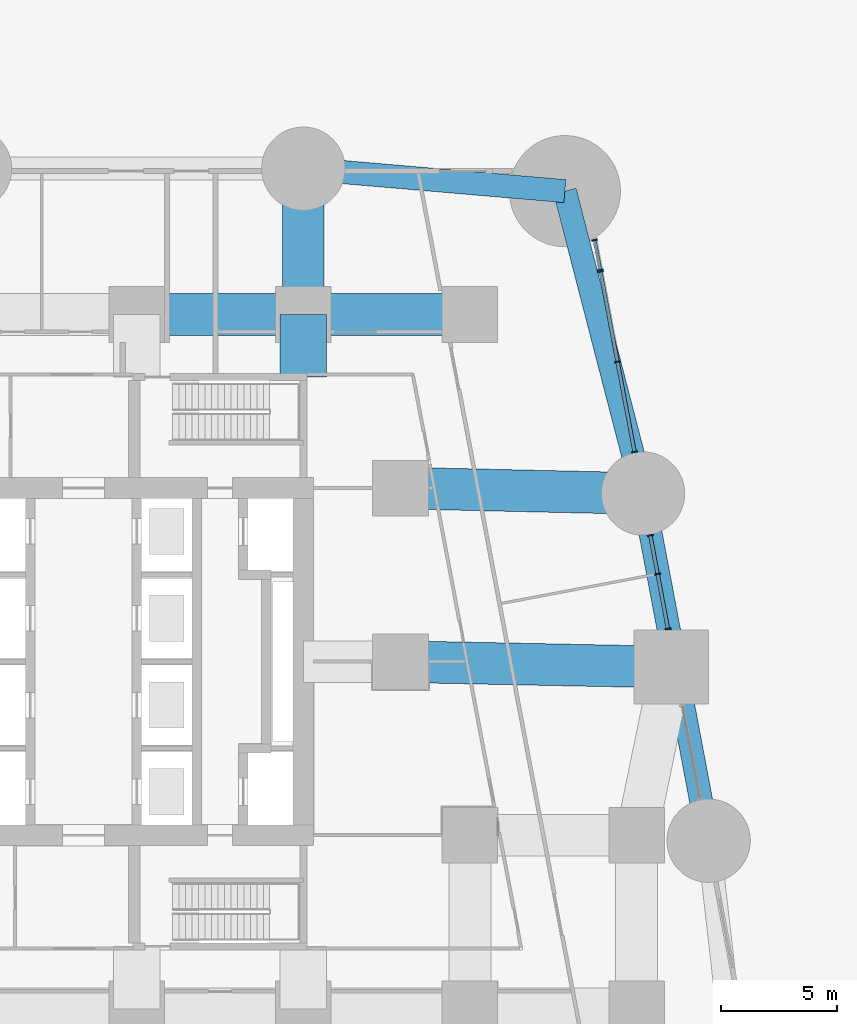
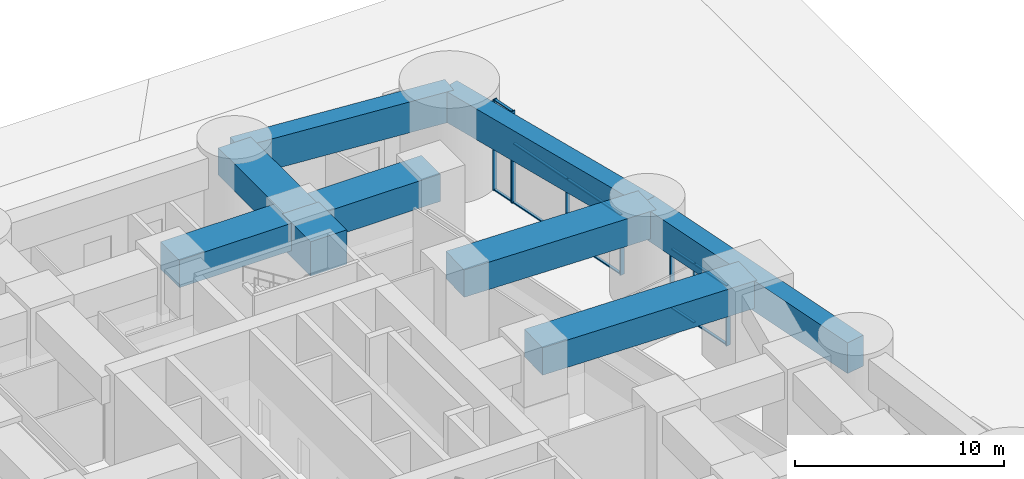
# One storey, part 5 of 16: 18 members, 9 beams, 3 elements without a shape of their own.
"""IFC4 building model written with IfcOpenShell, lengths in metres."""

from ifc_helpers import new_model, si_unit, direction, frame, origin, origin_2d, place, context, subcontext, project, spatial, rectangle, extrude, material, material_profile, profile_set, type_object, element, aggregate, save


model = new_model("IFC4")

# Units and contexts
model_context = context("Model", 3, precision=1e-05, world=origin(), true_north=direction((0.0, 1.0)))
body_context = subcontext(model_context, "Body", "Model", "MODEL_VIEW")
ifc_project = project(units=[si_unit("LENGTHUNIT", "METRE"), si_unit("AREAUNIT", "SQUARE_METRE"), si_unit("VOLUMEUNIT", "CUBIC_METRE"), si_unit("PLANEANGLEUNIT", "RADIAN"), si_unit("MASSUNIT", "GRAM", prefix="KILO")], contexts=[model_context])

# Site, building, storey
site_placement = place(None, origin())
site = spatial("IfcSite", under=ifc_project, at=site_placement, CompositionType="ELEMENT")
building_placement = place(site_placement, origin())
building = spatial("IfcBuilding", under=site, at=building_placement, Name="Sheger Commons Tower", CompositionType="ELEMENT")
storey_placement = place(building_placement, origin())
storey = spatial("IfcBuildingStorey", under=building, at=storey_placement, Name="L00", CompositionType="ELEMENT", Elevation=0.0)

# Beams
ifc_material_1 = material(Name="Concrete C50/60", Category="concrete")
ifc_material_profile_1 = material_profile(ifc_material_1, rectangle(XDim=1.0, YDim=1.800048828125, at=origin_2d()), Name="RC 1000x1800")
ifc_profile_set_1 = profile_set([ifc_material_profile_1], Name="Concrete C50/60")
beam_type_1 = type_object("IfcBeamType", Name="BEAM RC 1000x1800", PredefinedType="BEAM", material=ifc_profile_set_1)
beam_1_placement = place(storey_placement, frame((46.31396484375, 14.762939453125, 4.39990234375), z_axis=(-0.185647953645, 0.982616322533, 0.0), x_axis=(-0.982616322533, -0.185647953645, 0.0)))
element("IfcBeam", 1, at=beam_1_placement, inside=storey, type_object=beam_type_1, Name="Beam E/C-E/E under L01", PredefinedType="BEAM", context=body_context, shape_type="SweptSolid", body=[
    extrude(rectangle(XDim=1.0, YDim=1.800048828125, at=origin_2d()), origin(), (0.0, 0.0, 1.0), 15.265380859375),
])
beam_2_placement = place(storey_placement, frame((43.47998046875, 29.762939453125, 4.39990234375), z_axis=(-0.250278460129, 0.968173895742, 0.0), x_axis=(-0.968173895742, -0.250278460129, 0.0)))
element("IfcBeam", 2, at=beam_2_placement, inside=storey, type_object=beam_type_1, Name="Beam E/E-41.490,44.505 under L01", PredefinedType="BEAM", context=body_context, shape_type="SweptSolid", body=[
    extrude(rectangle(XDim=1.0, YDim=1.800048828125, at=origin_2d()), origin(), (0.0, 0.0, 1.0), 13.49658203125),
])
beam_3_placement = place(storey_placement, frame((40.10205078125, 42.830078125, 4.39990234375), z_axis=(-0.996337434304, 0.085508578543, 0.0), x_axis=(-0.085508578543, -0.996337434304, 0.0)))
element("IfcBeam", 3, at=beam_3_placement, inside=storey, type_object=beam_type_1, Name="Beam 41.490,44.505-5/G under L01", PredefinedType="BEAM", context=body_context, shape_type="SweptSolid", body=[
    extrude(rectangle(XDim=1.0, YDim=1.800048828125, at=origin_2d()), origin(), (0.0, 0.0, 1.0), 11.343505859375),
])
ifc_material_2 = material(Name="Concrete C50/60", Category="concrete")
ifc_material_profile_2 = material_profile(ifc_material_2, rectangle(XDim=1.800048828125, YDim=1.60009765625, at=origin_2d()), Name="RC 1800x1600")
ifc_profile_set_2 = profile_set([ifc_material_profile_2], Name="Concrete C50/60")
beam_type_2 = type_object("IfcBeamType", Name="BEAM RC 1800x1600", PredefinedType="BEAM", material=ifc_profile_set_2)
beam_4_placement = place(storey_placement, frame((33.0, 22.5, 4.5), z_axis=(0.999794692776, -0.02026258368, 0.0), x_axis=(0.02026258368, 0.999794692776, 0.0)))
element("IfcBeam", 4, at=beam_4_placement, inside=storey, type_object=beam_type_2, Name="Beam 6-3000/D-7/D under L01", PredefinedType="BEAM", context=body_context, shape_type="SweptSolid", body=[
    extrude(rectangle(XDim=1.800048828125, YDim=1.60009765625, at=origin_2d()), origin(), (0.0, 0.0, 1.0), 11.699462890625),
])
beam_5_placement = place(storey_placement, frame((33.0, 30.0, 4.5), z_axis=(0.999744258625, -0.022614538395, 0.0), x_axis=(0.022614538395, 0.999744258625, 0.0)))
element("IfcBeam", 5, at=beam_5_placement, inside=storey, type_object=beam_type_2, Name="Beam 6-3000/E-E/E under L01", PredefinedType="BEAM", context=body_context, shape_type="SweptSolid", body=[
    extrude(rectangle(XDim=1.800048828125, YDim=1.60009765625, at=origin_2d()), origin(), (0.0, 0.0, 1.0), 10.482666015625),
])
for number, where, z_axis, x_axis, name in (
    (6, (21.60009765625, 37.5, 4.5), (1.0, 0.0, 0.0), (0.0, 1.0, 0.0), "Beam 4/F-5/F under L01"),
    (7, (28.800048828125, 37.5, 4.5), (1.0, 0.0, 0.0), (0.0, 1.0, 0.0), "Beam 5/F-6/F under L01"),
):
    element("IfcBeam", number, at=place(storey_placement, frame(where, z_axis=z_axis, x_axis=x_axis)), inside=storey, type_object=beam_type_2, Name=name, PredefinedType="BEAM", context=body_context, shape_type="SweptSolid", body=[
        extrude(rectangle(XDim=1.800048828125, YDim=1.60009765625, at=origin_2d()), origin(), (0.0, 0.0, 1.0), 7.199951171875),
    ])
beam_6_placement = place(storey_placement, frame((28.800048828125, 37.5, 4.5), z_axis=(0.0, 1.0, 0.0), x_axis=(-1.0, 0.0, 0.0)))
element("IfcBeam", 8, at=beam_6_placement, inside=storey, type_object=beam_type_2, Name="Beam 5/F-5/G under L01", PredefinedType="BEAM", context=body_context, shape_type="SweptSolid", body=[
    extrude(rectangle(XDim=1.800048828125, YDim=1.60009765625, at=origin_2d()), origin(), (0.0, 0.0, 1.0), 6.300048828125),
])
ifc_material_3 = material(Name="Concrete C50/60", Category="concrete")
ifc_material_profile_3 = material_profile(ifc_material_3, rectangle(XDim=2.0, YDim=2.0, at=origin_2d()), Name="RC 2000x2000")
ifc_profile_set_3 = profile_set([ifc_material_profile_3], Name="Concrete C50/60")
beam_type_3 = type_object("IfcBeamType", Name="BEAM RC 2000x2000", PredefinedType="BEAM", material=ifc_profile_set_3)
beam_7_placement = place(storey_placement, frame((28.800048828125, 34.800048828125, 4.300048828125), z_axis=(0.0, 1.0, 0.0), x_axis=(-1.0, 0.0, 0.0)))
element("IfcBeam", 9, at=beam_7_placement, inside=storey, type_object=beam_type_3, Name="Beam 28.800,34.800-5/F under L01", PredefinedType="BEAM", context=body_context, shape_type="SweptSolid", body=[
    extrude(rectangle(XDim=2.0, YDim=2.0, at=origin_2d()), origin(), (0.0, 0.0, 1.0), 2.699951171875),
])

# Curtain wall, members
ifc_material_4 = material(Name="Black aluminium curtain wall, dark tinted glazing", Category="aluminium")
curtain_wall_type = type_object("IfcCurtainWallType", Name="CURTAIN WALL CW1 SHOPFRONT", PredefinedType="USERDEFINED", material=ifc_material_4)
curtain_wall_1_placement = place(storey_placement, origin())
curtain_wall_1 = element("IfcCurtainWall", 10, at=curtain_wall_1_placement, inside=storey, type_object=curtain_wall_type, Name="Curtain Wall Cw1 Shopfront E1 L00", ObjectType="STICK CURTAIN WALL", PredefinedType="USERDEFINED")
ifc_material_5 = material(Name="Black anodised aluminium", Category="aluminium")
ifc_material_profile_4 = material_profile(ifc_material_5, rectangle(XDim=0.25, YDim=0.06494140625, at=origin_2d()), Name="AL 65x250")
ifc_profile_set_4 = profile_set([ifc_material_profile_4], Name="Black anodised aluminium")
member_type_1 = type_object("IfcMemberType", Name="MULLION AL 65x250", PredefinedType="MULLION", material=ifc_profile_set_4)
member_1_placement = place(storey_placement, frame((44.55908203125, 23.9189453125, 0.0), z_axis=(0.0, 0.0, 1.0), x_axis=(-0.982616333912, -0.185647893416, 0.0)))
member_1 = element("IfcMember", 11, at=member_1_placement, type_object=member_type_1, Name="CW1 mullion 1", PredefinedType="MULLION", context=body_context, shape_type="SweptSolid", body=[
    extrude(rectangle(XDim=0.25, YDim=0.06494140625, at=origin_2d()), origin(), (0.0, 0.0, 1.0), 3.5),
])
member_2_placement = place(storey_placement, frame((44.111083984375, 26.28955078125, 0.0), z_axis=(0.0, 0.0, 1.0), x_axis=(-0.982616333912, -0.185647893416, 0.0)))
member_2 = element("IfcMember", 12, at=member_2_placement, type_object=member_type_1, Name="CW1 mullion 2", PredefinedType="MULLION", context=body_context, shape_type="SweptSolid", body=[
    extrude(rectangle(XDim=0.25, YDim=0.06494140625, at=origin_2d()), origin(), (0.0, 0.0, 1.0), 3.5),
])
member_3_placement = place(storey_placement, frame((43.796142578125, 27.95703125, 0.0), z_axis=(0.0, 0.0, 1.0), x_axis=(-0.982616333912, -0.185647893416, 0.0)))
member_3 = element("IfcMember", 13, at=member_3_placement, type_object=member_type_1, Name="CW1 mullion 3", PredefinedType="MULLION", context=body_context, shape_type="SweptSolid", body=[
    extrude(rectangle(XDim=0.25, YDim=0.06494140625, at=origin_2d()), origin(), (0.0, 0.0, 1.0), 3.5),
])

curtain_wall_2_placement = place(storey_placement, origin())
curtain_wall_2 = element("IfcCurtainWall", 14, at=curtain_wall_2_placement, inside=storey, type_object=curtain_wall_type, Name="Curtain Wall Cw1 Shopfront E1 L00", ObjectType="STICK CURTAIN WALL", PredefinedType="USERDEFINED")
member_4_placement = place(storey_placement, frame((43.115966796875, 31.559814453125, 0.0), z_axis=(0.0, 0.0, 1.0), x_axis=(-0.982612191292, -0.185669818561, 0.0)))
member_4 = element("IfcMember", 15, at=member_4_placement, type_object=member_type_1, Name="CW1 mullion 1", PredefinedType="MULLION", context=body_context, shape_type="SweptSolid", body=[
    extrude(rectangle(XDim=0.25, YDim=0.06494140625, at=origin_2d()), origin(), (0.0, 0.0, 1.0), 3.5),
])
member_5_placement = place(storey_placement, frame((42.37939453125, 35.45751953125, 0.0), z_axis=(0.0, 0.0, 1.0), x_axis=(-0.982612191292, -0.185669818561, 0.0)))
member_5 = element("IfcMember", 16, at=member_5_placement, type_object=member_type_1, Name="CW1 mullion 2", PredefinedType="MULLION", context=body_context, shape_type="SweptSolid", body=[
    extrude(rectangle(XDim=0.25, YDim=0.06494140625, at=origin_2d()), origin(), (0.0, 0.0, 1.0), 3.5),
])
member_6_placement = place(storey_placement, frame((41.64306640625, 39.35498046875, 0.0), z_axis=(0.0, 0.0, 1.0), x_axis=(-0.982612191292, -0.185669818561, 0.0)))
member_6 = element("IfcMember", 17, at=member_6_placement, type_object=member_type_1, Name="CW1 mullion 3", PredefinedType="MULLION", context=body_context, shape_type="SweptSolid", body=[
    extrude(rectangle(XDim=0.25, YDim=0.06494140625, at=origin_2d()), origin(), (0.0, 0.0, 1.0), 3.5),
])

curtain_wall_3_placement = place(storey_placement, origin())
curtain_wall_3 = element("IfcCurtainWall", 18, at=curtain_wall_3_placement, inside=storey, type_object=curtain_wall_type, Name="Curtain Wall Cw1 Shopfront E1 L00", ObjectType="STICK CURTAIN WALL", PredefinedType="USERDEFINED")
member_7_placement = place(storey_placement, frame((41.630859375, 39.4189453125, 0.0), z_axis=(0.0, 0.0, 1.0), x_axis=(-0.982659173488, -0.185421004098, 0.0)))
member_7 = element("IfcMember", 19, at=member_7_placement, type_object=member_type_1, Name="CW1 mullion 1", PredefinedType="MULLION", context=body_context, shape_type="SweptSolid", body=[
    extrude(rectangle(XDim=0.25, YDim=0.06494140625, at=origin_2d()), origin(), (0.0, 0.0, 1.0), 5.300048828125),
])
member_8_placement = place(storey_placement, frame((41.385986328125, 40.717041015625, 0.0), z_axis=(0.0, 0.0, 1.0), x_axis=(-0.982659173488, -0.185421004098, 0.0)))
member_8 = element("IfcMember", 20, at=member_8_placement, type_object=member_type_1, Name="CW1 mullion 2", PredefinedType="MULLION", context=body_context, shape_type="SweptSolid", body=[
    extrude(rectangle(XDim=0.25, YDim=0.06494140625, at=origin_2d()), origin(), (0.0, 0.0, 1.0), 5.300048828125),
])

# Member
ifc_material_6 = material(Name="Black anodised aluminium", Category="aluminium")
ifc_material_profile_5 = material_profile(ifc_material_6, rectangle(XDim=0.14990234375, YDim=0.06494140625, at=origin_2d()), Name="AL 65x150")
ifc_profile_set_5 = profile_set([ifc_material_profile_5], Name="Black anodised aluminium")
member_type_2 = type_object("IfcMemberType", Name="TRANSOM AL 65x150", PredefinedType="USERDEFINED", material=ifc_profile_set_5)
member_9_placement = place(storey_placement, frame((44.552978515625, 23.950927734375, 0.032470703125), z_axis=(-0.185644710974, 0.982616935172, 0.0), x_axis=(-0.982616935172, -0.185644710974, 0.0)))
member_9 = element("IfcMember", 21, at=member_9_placement, type_object=member_type_2, Name="CW1 transom 1.1", ObjectType="TRANSOM", PredefinedType="USERDEFINED", context=body_context, shape_type="SweptSolid", body=[
    extrude(rectangle(XDim=0.14990234375, YDim=0.06494140625, at=origin_2d()), origin(), (0.0, 0.0, 1.0), 2.347412109375),
])

member_10_placement = place(storey_placement, frame((44.552978515625, 23.950927734375, 3.467529296875), z_axis=(-0.185644710974, 0.982616935172, 0.0), x_axis=(-0.982616935172, -0.185644710974, 0.0)))
member_10 = element("IfcMember", 22, at=member_10_placement, type_object=member_type_2, Name="CW1 transom 1.2", ObjectType="TRANSOM", PredefinedType="USERDEFINED", context=body_context, shape_type="SweptSolid", body=[
    extrude(rectangle(XDim=0.14990234375, YDim=0.06494140625, at=origin_2d()), origin(), (0.0, 0.0, 1.0), 2.347412109375),
])

member_11_placement = place(storey_placement, frame((44.10498046875, 26.321533203125, 0.032470703125), z_axis=(-0.18566134535, 0.982613792313, 0.0), x_axis=(-0.982613792313, -0.18566134535, 0.0)))
member_11 = element("IfcMember", 23, at=member_11_placement, type_object=member_type_2, Name="CW1 transom 2.1", ObjectType="TRANSOM", PredefinedType="USERDEFINED", context=body_context, shape_type="SweptSolid", body=[
    extrude(rectangle(XDim=0.14990234375, YDim=0.06494140625, at=origin_2d()), origin(), (0.0, 0.0, 1.0), 1.6318359375),
])

member_12_placement = place(storey_placement, frame((44.10498046875, 26.321533203125, 3.467529296875), z_axis=(-0.18566134535, 0.982613792313, 0.0), x_axis=(-0.982613792313, -0.18566134535, 0.0)))
member_12 = element("IfcMember", 24, at=member_12_placement, type_object=member_type_2, Name="CW1 transom 2.2", ObjectType="TRANSOM", PredefinedType="USERDEFINED", context=body_context, shape_type="SweptSolid", body=[
    extrude(rectangle(XDim=0.14990234375, YDim=0.06494140625, at=origin_2d()), origin(), (0.0, 0.0, 1.0), 1.6318359375),
])

aggregate(curtain_wall_1, [member_1, member_2, member_3, member_9, member_10, member_11, member_12])

member_13_placement = place(storey_placement, frame((43.10986328125, 31.591796875, 0.032470703125), z_axis=(-0.185659809144, 0.982614082572, 0.0), x_axis=(-0.982614082572, -0.185659809144, 0.0)))
member_13 = element("IfcMember", 25, at=member_13_placement, type_object=member_type_2, Name="CW1 transom 1.1", ObjectType="TRANSOM", PredefinedType="USERDEFINED", context=body_context, shape_type="SweptSolid", body=[
    extrude(rectangle(XDim=0.14990234375, YDim=0.06494140625, at=origin_2d()), origin(), (0.0, 0.0, 1.0), 3.901611328125),
])

member_14_placement = place(storey_placement, frame((43.10986328125, 31.591796875, 3.467529296875), z_axis=(-0.185659809144, 0.982614082572, 0.0), x_axis=(-0.982614082572, -0.185659809144, 0.0)))
member_14 = element("IfcMember", 26, at=member_14_placement, type_object=member_type_2, Name="CW1 transom 1.2", ObjectType="TRANSOM", PredefinedType="USERDEFINED", context=body_context, shape_type="SweptSolid", body=[
    extrude(rectangle(XDim=0.14990234375, YDim=0.06494140625, at=origin_2d()), origin(), (0.0, 0.0, 1.0), 3.901611328125),
])

member_15_placement = place(storey_placement, frame((42.37353515625, 35.489501953125, 0.032470703125), z_axis=(-0.185659809144, 0.982614082572, 0.0), x_axis=(-0.982614082572, -0.185659809144, 0.0)))
member_15 = element("IfcMember", 27, at=member_15_placement, type_object=member_type_2, Name="CW1 transom 2.1", ObjectType="TRANSOM", PredefinedType="USERDEFINED", context=body_context, shape_type="SweptSolid", body=[
    extrude(rectangle(XDim=0.14990234375, YDim=0.06494140625, at=origin_2d()), origin(), (0.0, 0.0, 1.0), 3.901611328125),
])

member_16_placement = place(storey_placement, frame((42.37353515625, 35.489501953125, 3.467529296875), z_axis=(-0.185659809144, 0.982614082572, 0.0), x_axis=(-0.982614082572, -0.185659809144, 0.0)))
member_16 = element("IfcMember", 28, at=member_16_placement, type_object=member_type_2, Name="CW1 transom 2.2", ObjectType="TRANSOM", PredefinedType="USERDEFINED", context=body_context, shape_type="SweptSolid", body=[
    extrude(rectangle(XDim=0.14990234375, YDim=0.06494140625, at=origin_2d()), origin(), (0.0, 0.0, 1.0), 3.901611328125),
])

aggregate(curtain_wall_2, [member_4, member_5, member_6, member_13, member_14, member_15, member_16])

member_17_placement = place(storey_placement, frame((41.625, 39.450927734375, 0.032470703125), z_axis=(-0.185450359393, 0.982653633892, 0.0), x_axis=(-0.982653633892, -0.185450359393, 0.0)))
member_17 = element("IfcMember", 29, at=member_17_placement, type_object=member_type_2, Name="CW1 transom 1.1", ObjectType="TRANSOM", PredefinedType="USERDEFINED", context=body_context, shape_type="SweptSolid", body=[
    extrude(rectangle(XDim=0.14990234375, YDim=0.06494140625, at=origin_2d()), origin(), (0.0, 0.0, 1.0), 1.255859375),
])

member_18_placement = place(storey_placement, frame((41.625, 39.450927734375, 5.267578125), z_axis=(-0.185450359393, 0.982653633892, 0.0), x_axis=(-0.982653633892, -0.185450359393, 0.0)))
member_18 = element("IfcMember", 30, at=member_18_placement, type_object=member_type_2, Name="CW1 transom 1.2", ObjectType="TRANSOM", PredefinedType="USERDEFINED", context=body_context, shape_type="SweptSolid", body=[
    extrude(rectangle(XDim=0.14990234375, YDim=0.06494140625, at=origin_2d()), origin(), (0.0, 0.0, 1.0), 1.255859375),
])

aggregate(curtain_wall_3, [member_7, member_8, member_17, member_18])

save(model, "model.ifc")
